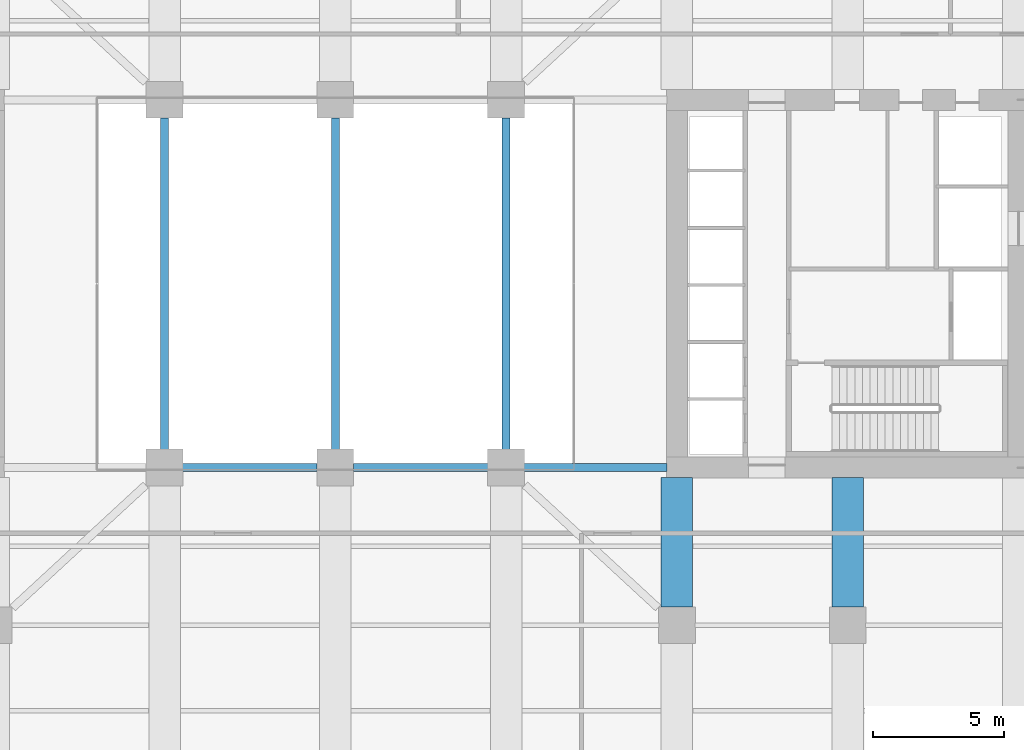
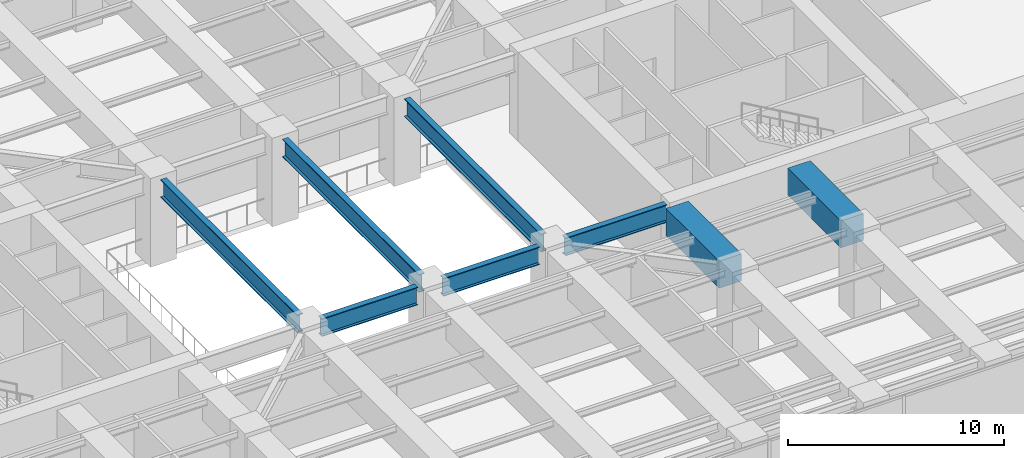
# One storey, part 7 of 31: 8 beams.
"""IFC4 building model written with IfcOpenShell, lengths in metres."""

from ifc_helpers import new_model, si_unit, direction, frame, origin, origin_2d, place, context, subcontext, project, spatial, rectangle, i_section, extrude, material, material_profile, profile_set, type_object, element, save


model = new_model("IFC4")

# Units and contexts
model_context = context("Model", 3, precision=1e-05, world=origin(), true_north=direction((0.0, 1.0)))
body_context = subcontext(model_context, "Body", "Model", "MODEL_VIEW")
ifc_project = project(units=[si_unit("LENGTHUNIT", "METRE"), si_unit("AREAUNIT", "SQUARE_METRE"), si_unit("VOLUMEUNIT", "CUBIC_METRE"), si_unit("PLANEANGLEUNIT", "RADIAN"), si_unit("MASSUNIT", "GRAM", prefix="KILO")], contexts=[model_context])

# Site, building, storey
site_placement = place(None, origin())
site = spatial("IfcSite", under=ifc_project, at=site_placement, CompositionType="ELEMENT")
building_placement = place(site_placement, origin())
building = spatial("IfcBuilding", under=site, at=building_placement, Name="Putna Gate Headquarters", CompositionType="ELEMENT")
storey_placement = place(building_placement, frame((0.0, 0.0, 81.0)))
storey = spatial("IfcBuildingStorey", under=building, at=storey_placement, Name="L19", CompositionType="ELEMENT", Elevation=81.0)

# Beams
ifc_material_1 = material(Name="Steel S460M", Category="steel")
ifc_material_profile_1 = material_profile(ifc_material_1, i_section(OverallWidth=0.302001953125, OverallDepth=1.008056640625, WebThickness=0.02099609375, FlangeThickness=0.0400390625, at=origin_2d()), Name="Steel S460M")
ifc_profile_set_1 = profile_set([ifc_material_profile_1], Name="Steel S460M")
beam_type_1 = type_object("IfcBeamType", Name="BM-TG-HEM1000", PredefinedType="USERDEFINED", material=ifc_profile_set_1)
for number, where, z_axis, x_axis, name in (
    (1, (33.18798828125, 19.0, 4.260986328125), (1.0, 0.0, 0.0), (0.0, 1.0, 0.0), "L19 Atrium Edge Beam AS2"),
    (2, (39.68798828125, 19.0, 4.260986328125), (1.0, 0.0, 0.0), (0.0, 1.0, 0.0), "L19 Atrium Edge Beam AS3"),
):
    element("IfcBeam", number, at=place(storey_placement, frame(where, z_axis=z_axis, x_axis=x_axis)), inside=storey, type_object=beam_type_1, Name=name, ObjectType="GIRDER", PredefinedType="USERDEFINED", context=body_context, shape_type="SweptSolid", body=[
        extrude(i_section(OverallWidth=0.302001953125, OverallDepth=1.008056640625, WebThickness=0.02099609375, FlangeThickness=0.0400390625, at=origin_2d()), origin(), (0.0, 0.0, 1.0), 5.1240234375),
    ])
beam_placement = place(storey_placement, frame((46.18798828125, 19.0, 4.260986328125), z_axis=(1.0, 0.0, 0.0), x_axis=(0.0, 1.0, 0.0)))
element("IfcBeam", 3, at=beam_placement, inside=storey, type_object=beam_type_1, Name="L19 Atrium Edge Beam AS4", ObjectType="GIRDER", PredefinedType="USERDEFINED", context=body_context, shape_type="SweptSolid", body=[
    extrude(i_section(OverallWidth=0.302001953125, OverallDepth=1.008056640625, WebThickness=0.02099609375, FlangeThickness=0.0400390625, at=origin_2d()), origin(), (0.0, 0.0, 1.0), 5.427001953125),
])
for number, where, z_axis, x_axis, name in (
    (4, (32.5, 19.68798828125, 4.260986328125), (0.0, 1.0, 0.0), (-1.0, 0.0, 0.0), "L19 Plant Floor Central Tie Girder X32"),
    (5, (39.0, 19.68798828125, 4.260986328125), (0.0, 1.0, 0.0), (-1.0, 0.0, 0.0), "L19 Plant Floor Central Tie Girder X39"),
    (6, (45.5, 19.68798828125, 4.260986328125), (0.0, 1.0, 0.0), (-1.0, 0.0, 0.0), "L19 Plant Floor Central Tie Girder X45"),
):
    element("IfcBeam", number, at=place(storey_placement, frame(where, z_axis=z_axis, x_axis=x_axis)), inside=storey, type_object=beam_type_1, Name=name, ObjectType="GIRDER", PredefinedType="USERDEFINED", context=body_context, shape_type="SweptSolid", body=[
        extrude(i_section(OverallWidth=0.302001953125, OverallDepth=1.008056640625, WebThickness=0.02099609375, FlangeThickness=0.0400390625, at=origin_2d()), origin(), (0.0, 0.0, 1.0), 12.6240234375),
    ])
ifc_material_2 = material(Name="Concrete C50/60", Category="concrete")
ifc_material_profile_2 = material_profile(ifc_material_2, rectangle(XDim=1.199951171875, YDim=1.52001953125, at=origin_2d()), Name="Concrete C50/60")
ifc_profile_set_2 = profile_set([ifc_material_profile_2], Name="Concrete C50/60")
beam_type_2 = type_object("IfcBeamType", Name="BM-TG-RC1520", PredefinedType="USERDEFINED", material=ifc_profile_set_2)
for number, where, z_axis, x_axis, name in (
    (7, (52.0, 13.68798828125, 4.0048828125), (0.0, 1.0, 0.0), (-1.0, 0.0, 0.0), "L19 South Primary Girder X52-2"),
    (8, (58.5, 13.68798828125, 4.0048828125), (0.0, 1.0, 0.0), (-1.0, 0.0, 0.0), "L19 South Primary Girder X58-2"),
):
    element("IfcBeam", number, at=place(storey_placement, frame(where, z_axis=z_axis, x_axis=x_axis)), inside=storey, type_object=beam_type_2, Name=name, ObjectType="GIRDER", PredefinedType="USERDEFINED", context=body_context, shape_type="SweptSolid", body=[
        extrude(rectangle(XDim=1.199951171875, YDim=1.52001953125, at=origin_2d()), origin(), (0.0, 0.0, 1.0), 4.927001953125),
    ])

save(model, "model.ifc")
